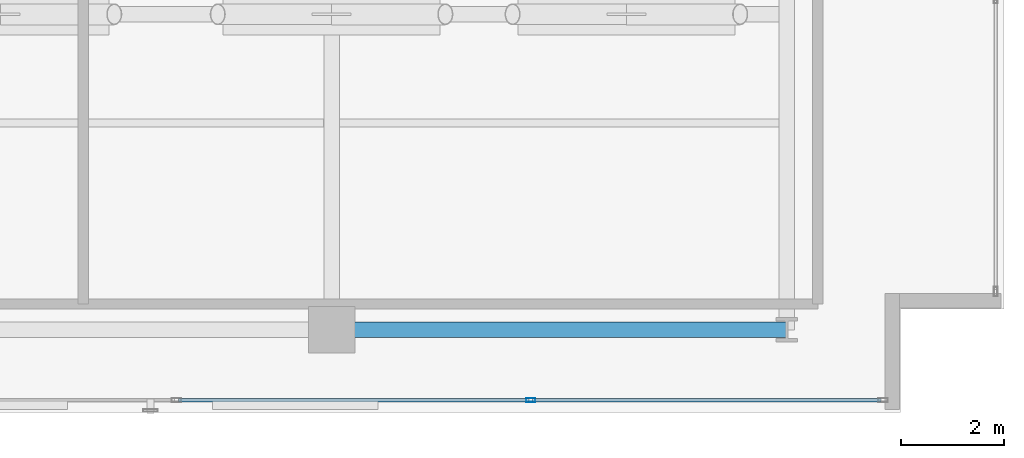
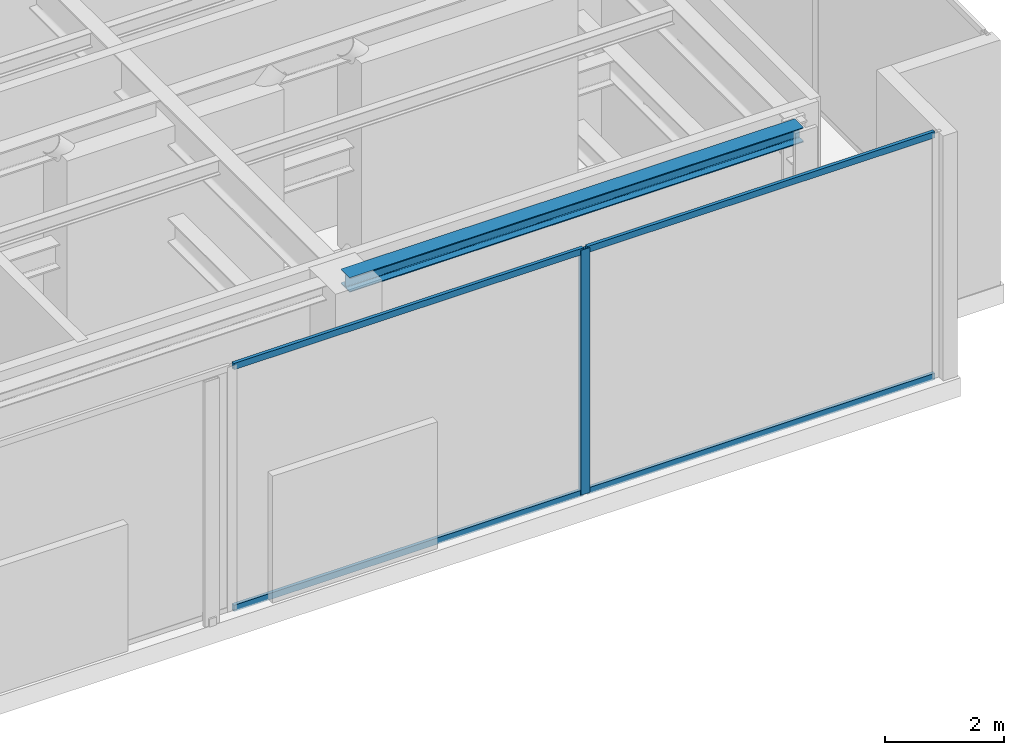
# One storey, part 15 of 29: 5 members, 1 beam, 1 element without a shape of its own.
"""IFC4 building model written with IfcOpenShell, lengths in metres."""

from ifc_helpers import new_model, si_unit, direction, frame, origin, origin_with_axes, origin_2d, place, context, subcontext, project, spatial, hollow_rectangle, i_section, extrude, source, transform, mapped, material, layer, layer_set, material_profile, profile_set, type_object, element, aggregate, save


model = new_model("IFC4")

# Units and contexts
model_context = context("Model", 3, precision=1e-05, world=origin(), true_north=direction((0.0, 1.0)))
body_context = subcontext(model_context, "Body", "Model", "MODEL_VIEW")
ifc_project = project(units=[si_unit("LENGTHUNIT", "METRE"), si_unit("AREAUNIT", "SQUARE_METRE"), si_unit("VOLUMEUNIT", "CUBIC_METRE"), si_unit("PLANEANGLEUNIT", "RADIAN"), si_unit("MASSUNIT", "GRAM", prefix="KILO")], contexts=[model_context])

# Site, building, storey
site_placement = place(None, origin())
site = spatial("IfcSite", under=ifc_project, at=site_placement, CompositionType="ELEMENT")
building_placement = place(site_placement, origin())
building = spatial("IfcBuilding", under=site, at=building_placement, Name="Kolvaren Waterfront Exchange", CompositionType="ELEMENT")
storey_placement = place(building_placement, frame((0.0, 0.0, 338.800048828125)))
storey = spatial("IfcBuildingStorey", under=building, at=storey_placement, Name="L87", CompositionType="ELEMENT", Elevation=338.800048828125)

# Beam
ifc_material_1 = material(Name="Steel S355", Category="steel")
ifc_material_profile_1 = material_profile(ifc_material_1, i_section(OverallWidth=0.300048828125, OverallDepth=0.300048828125, WebThickness=0.010986328125, FlangeThickness=0.01904296875, FilletRadius=0.027099609375, at=origin_2d()), Name="HEB300")
ifc_profile_set_1 = profile_set([ifc_material_profile_1], Name="Steel S355")
beam_type = type_object("IfcBeamType", Name="STR-BM-HEB300", PredefinedType="SPANDREL", material=ifc_profile_set_1)
beam_placement = place(storey_placement, frame((36.800048828125, 5.199951171875, 4.869873046875), z_axis=(1.0, 0.0, 0.0), x_axis=(0.0, 1.0, 0.0)))
element("IfcBeam", 1, at=beam_placement, inside=storey, type_object=beam_type, Name="L87 east-arm spandrel S3", PredefinedType="SPANDREL", context=body_context, shape_type="SweptSolid", body=[
    extrude(i_section(OverallWidth=0.300048828125, OverallDepth=0.300048828125, WebThickness=0.010986328125, FlangeThickness=0.01904296875, FilletRadius=0.027099609375, at=origin_2d()), origin(), (0.0, 0.0, 1.0), 8.800048828125),
])

# Curtain wall, members
ifc_material_2 = material(Name="Anodised dark bronze spandrel aluminium", Category="aluminium")
ifc_layer = layer(ifc_material_2, 0.219970703125, Name="Anodised dark bronze spandrel aluminium")
ifc_layer_set = layer_set([ifc_layer], Name="Anodised dark bronze spandrel aluminium")
curtain_wall_type = type_object("IfcCurtainWallType", Name="ARC-CW-SYS6", PredefinedType="USERDEFINED", material=ifc_layer_set)
curtain_wall_placement = place(storey_placement, origin())
curtain_wall = element("IfcCurtainWall", 2, at=curtain_wall_placement, inside=storey, type_object=curtain_wall_type, Name="L87 stick curtain wall CW6 (CW-L87-S)", ObjectType="STICK CURTAIN WALL", PredefinedType="USERDEFINED")
ifc_material_3 = material(Name="Anodised bronze aluminium 6063-T6", Category="aluminium")
ifc_material_profile_2 = material_profile(ifc_material_3, hollow_rectangle(XDim=0.074951171875, YDim=0.179931640625, WallThickness=0.00439453125, at=origin_2d()), Name="ALU-MUL-180x75x4.5")
ifc_profile_set_2 = profile_set([ifc_material_profile_2], Name="Anodised bronze aluminium 6063-T6")
member_type_1 = type_object("IfcMemberType", Name="ARC-CWM-180", PredefinedType="MULLION", material=ifc_profile_set_2)
shared_shape_1 = source(origin_with_axes(), body_context, "Body", "SweptSolid", [
    extrude(hollow_rectangle(XDim=0.074951171875, YDim=0.179931640625, WallThickness=0.00439453125, at=origin_2d()), origin(), (0.0, 0.0, 1.0), 5.02001953125),
])
member_1_placement = place(storey_placement, frame((40.64990234375, 3.840087890625, 0.0), z_axis=(0.0, 0.0, 1.0), x_axis=(0.0, 1.0, 0.0)))
member_1 = element("IfcMember", 3, at=member_1_placement, type_object=member_type_1, Name="CW6 mullion 6", PredefinedType="MULLION", context=body_context, shape_type="MappedRepresentation", body=[
    mapped(shared_shape_1, transform((0.0, 0.0, 0.0), x_axis=(1.0, 0.0, 0.0), y_axis=(0.0, 1.0, 0.0), z_axis=(0.0, 0.0, 1.0), scale=1.0)),
])
ifc_material_profile_3 = material_profile(ifc_material_3, hollow_rectangle(XDim=0.06494140625, YDim=0.1298828125, WallThickness=0.00390625, at=origin_2d()), Name="ALU-TRN-130x65x4")
ifc_profile_set_3 = profile_set([ifc_material_profile_3], Name="Anodised bronze aluminium 6063-T6")
member_type_2 = type_object("IfcMemberType", Name="ARC-CWT-130", PredefinedType="USERDEFINED", material=ifc_profile_set_3)
shared_shape_2 = source(origin_with_axes(), body_context, "Body", "SweptSolid", [
    extrude(hollow_rectangle(XDim=0.06494140625, YDim=0.1298828125, WallThickness=0.00390625, at=origin_2d()), origin(), (0.0, 0.0, 1.0), 6.775146484375),
])
member_2_placement = place(storey_placement, frame((33.83740234375, 3.840087890625, 0.032470703125), z_axis=(1.0, 0.0, 0.0), x_axis=(0.0, 1.0, 0.0)))
member_2 = element("IfcMember", 4, at=member_2_placement, type_object=member_type_2, Name="CW6 transom 5.1", ObjectType="TRANSOM", PredefinedType="USERDEFINED", context=body_context, shape_type="MappedRepresentation", body=[
    mapped(shared_shape_2, transform((0.0, 0.0, 0.0), x_axis=(1.0, 0.0, 0.0), y_axis=(0.0, 1.0, 0.0), z_axis=(0.0, 0.0, 1.0), scale=1.0)),
])
member_3_placement = place(storey_placement, frame((33.83740234375, 3.840087890625, 4.987548828125), z_axis=(1.0, 0.0, 0.0), x_axis=(0.0, 1.0, 0.0)))
member_3 = element("IfcMember", 5, at=member_3_placement, type_object=member_type_2, Name="CW6 transom 5.2", ObjectType="TRANSOM", PredefinedType="USERDEFINED", context=body_context, shape_type="MappedRepresentation", body=[
    mapped(shared_shape_2, transform((0.0, 0.0, 0.0), x_axis=(1.0, 0.0, 0.0), y_axis=(0.0, 1.0, 0.0), z_axis=(0.0, 0.0, 1.0), scale=1.0)),
])
shared_shape_3 = source(origin_with_axes(), body_context, "Body", "SweptSolid", [
    extrude(hollow_rectangle(XDim=0.06494140625, YDim=0.1298828125, WallThickness=0.00390625, at=origin_2d()), origin(), (0.0, 0.0, 1.0), 6.737548828125),
])
member_4_placement = place(storey_placement, frame((40.6875, 3.840087890625, 0.032470703125), z_axis=(1.0, 0.0, 0.0), x_axis=(0.0, 1.0, 0.0)))
member_4 = element("IfcMember", 6, at=member_4_placement, type_object=member_type_2, Name="CW6 transom 6.1", ObjectType="TRANSOM", PredefinedType="USERDEFINED", context=body_context, shape_type="MappedRepresentation", body=[
    mapped(shared_shape_3, transform((0.0, 0.0, 0.0), x_axis=(1.0, 0.0, 0.0), y_axis=(0.0, 1.0, 0.0), z_axis=(0.0, 0.0, 1.0), scale=1.0)),
])
member_5_placement = place(storey_placement, frame((40.6875, 3.840087890625, 4.987548828125), z_axis=(1.0, 0.0, 0.0), x_axis=(0.0, 1.0, 0.0)))
member_5 = element("IfcMember", 7, at=member_5_placement, type_object=member_type_2, Name="CW6 transom 6.2", ObjectType="TRANSOM", PredefinedType="USERDEFINED", context=body_context, shape_type="MappedRepresentation", body=[
    mapped(shared_shape_3, transform((0.0, 0.0, 0.0), x_axis=(1.0, 0.0, 0.0), y_axis=(0.0, 1.0, 0.0), z_axis=(0.0, 0.0, 1.0), scale=1.0)),
])
aggregate(curtain_wall, [member_1, member_2, member_3, member_4, member_5])

save(model, "model.ifc")
